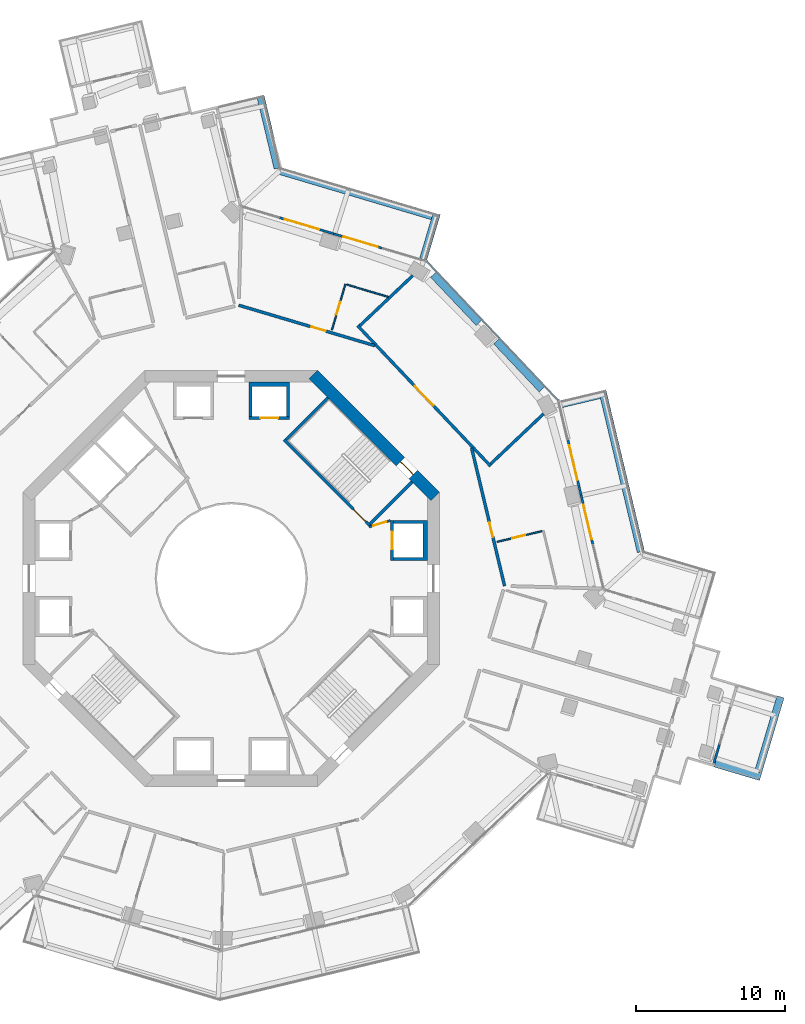
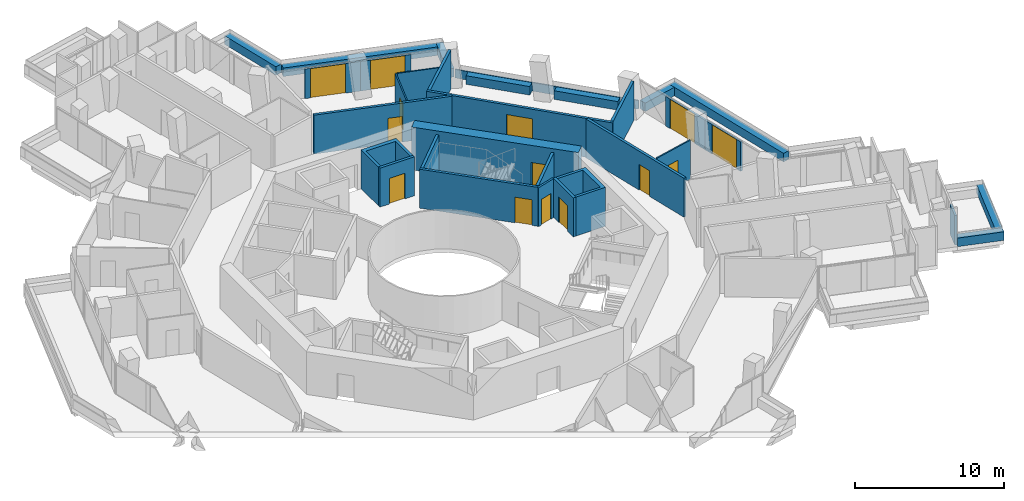
# One storey, part 23 of 27: 32 walls, 14 doors, 14 openings.
"""IFC4 building model written with IfcOpenShell, lengths in metres."""

from ifc_helpers import new_model, si_unit, direction, frame, frame_2d, origin, place, context, subcontext, project, spatial, polyline, rectangle, outline, extrude, material, layer, layer_set, type_object, element, fill, save


model = new_model("IFC4")

# Units and contexts
model_context = context("Model", 3, precision=1e-05, world=origin(), true_north=direction((0.0, 1.0)))
body_context = subcontext(model_context, "Body", "Model", "MODEL_VIEW")
ifc_project = project(units=[si_unit("LENGTHUNIT", "METRE"), si_unit("AREAUNIT", "SQUARE_METRE"), si_unit("VOLUMEUNIT", "CUBIC_METRE"), si_unit("PLANEANGLEUNIT", "RADIAN"), si_unit("MASSUNIT", "GRAM", prefix="KILO")], contexts=[model_context])

# Site, building, storey
site_placement = place(None, origin())
site = spatial("IfcSite", under=ifc_project, at=site_placement, CompositionType="ELEMENT")
building_placement = place(site_placement, origin())
building = spatial("IfcBuilding", under=site, at=building_placement, Name="Verdalira Terraces Hotel", CompositionType="ELEMENT")
storey_placement = place(building_placement, frame((0.0, 0.0, 89.5)))
storey = spatial("IfcBuildingStorey", under=building, at=storey_placement, Name="L20", CompositionType="ELEMENT", Elevation=89.5)

# Walls
ifc_material_1 = material(Name="Concrete C40", Category="concrete")
ifc_layer_1 = layer(ifc_material_1, 0.5)
ifc_layer_set_1 = layer_set([ifc_layer_1], Name="Balcony planter trough with tree")
wall_type_1 = type_object("IfcWallType", Name="Balcony planter trough with tree", PredefinedType="SOLIDWALL", material=ifc_layer_set_1)
wall_1_placement = place(storey_placement, frame((32.528564, -12.437012, 0.0), z_axis=(0.0, 0.0, 1.0), x_axis=(0.958510434, -0.285057447, 0.0)))
element("IfcWall", 1, at=wall_1_placement, inside=storey, type_object=wall_type_1, Name="Balcony planter", PredefinedType="SOLIDWALL", context=body_context, shape_type="SweptSolid", body=[
    extrude(rectangle(XDim=3.198975, YDim=0.5, at=frame_2d((1.599609, 0.0))), origin(), (0.0, 0.0, 1.0), 0.699951),
])
wall_2_placement = place(storey_placement, frame((35.426514, -13.038086, 0.0), z_axis=(0.0, 0.0, 1.0), x_axis=(0.284993145, 0.958529555, 0.0)))
element("IfcWall", 2, at=wall_2_placement, inside=storey, type_object=wall_type_1, Name="Balcony planter", PredefinedType="SOLIDWALL", context=body_context, shape_type="SweptSolid", body=[
    extrude(rectangle(XDim=5.300049, YDim=0.5, at=frame_2d((2.649902, 0.0))), origin(), (0.0, 0.0, 1.0), 0.699951),
])
wall_3_placement = place(storey_placement, frame((27.544678, 1.798828, 0.0), z_axis=(0.0, 0.0, 1.0), x_axis=(-0.232437266, 0.972611391, 0.0)))
element("IfcWall", 3, at=wall_3_placement, inside=storey, type_object=wall_type_1, Name="Balcony planter", PredefinedType="SOLIDWALL", context=body_context, shape_type="SweptSolid", body=[
    extrude(rectangle(XDim=11.152588, YDim=0.5, at=frame_2d((5.576172, 0.0))), origin(), (0.0, 0.0, 1.0), 0.699951),
])
wall_4_placement = place(storey_placement, frame((24.767334, 12.344727, 0.0), z_axis=(0.0, 0.0, 1.0), x_axis=(-0.972602017, -0.232476487, 0.0)))
element("IfcWall", 4, at=wall_4_placement, inside=storey, type_object=wall_type_1, Name="Balcony planter", PredefinedType="SOLIDWALL", context=body_context, shape_type="SweptSolid", body=[
    extrude(rectangle(XDim=2.698975, YDim=0.5, at=frame_2d((1.349609, 0.0))), origin(), (0.0, 0.0, 1.0), 0.699951),
])
wall_5_placement = place(storey_placement, frame((12.905029, 21.47168, 0.0), z_axis=(0.0, 0.0, 1.0), x_axis=(0.285036595, 0.958516635, 0.0)))
element("IfcWall", 5, at=wall_5_placement, inside=storey, type_object=wall_type_1, Name="Balcony planter", PredefinedType="SOLIDWALL", context=body_context, shape_type="SweptSolid", body=[
    extrude(rectangle(XDim=3.199219, YDim=0.5, at=frame_2d((1.599609, 0.0))), origin(), (0.0, 0.0, 1.0), 0.699951),
])
wall_6_placement = place(storey_placement, frame((13.506104, 24.369629, 0.0), z_axis=(0.0, 0.0, 1.0), x_axis=(-0.958522989, 0.285015228, 0.0)))
element("IfcWall", 6, at=wall_6_placement, inside=storey, type_object=wall_type_1, Name="Balcony planter", PredefinedType="SOLIDWALL", context=body_context, shape_type="SweptSolid", body=[
    extrude(rectangle(XDim=10.652588, YDim=0.5, at=frame_2d((5.326172, 0.0))), origin(), (0.0, 0.0, 1.0), 0.699951),
])
wall_7_placement = place(storey_placement, frame((3.123535, 27.587402, 0.0), z_axis=(0.0, 0.0, 1.0), x_axis=(-0.232447136, 0.972609032, 0.0)))
element("IfcWall", 7, at=wall_7_placement, inside=storey, type_object=wall_type_1, Name="Balcony planter", PredefinedType="SOLIDWALL", context=body_context, shape_type="SweptSolid", body=[
    extrude(rectangle(XDim=5.017334, YDim=0.5, at=frame_2d((2.508789, 0.0))), origin(), (0.0, 0.0, 1.0), 0.699951),
])

# Wall, opening, door
ifc_material_2 = material(Name="Moisture-resistant gypsum board partition")
ifc_layer_2 = layer(ifc_material_2, 0.10009765625)
ifc_layer_set_2 = layer_set([ifc_layer_2], Name="Bathroom partition 100 mm")
wall_type_2 = type_object("IfcWallType", Name="Bathroom partition 100 mm", PredefinedType="PARTITIONING", material=ifc_layer_set_2)
wall_8_placement = place(storey_placement, frame((7.67749, 19.791016, 0.0), z_axis=(0.0, 0.0, 1.0), x_axis=(-0.285023313, -0.958520585, 0.0)))
wall_8 = element("IfcWall", 8, at=wall_8_placement, inside=storey, type_object=wall_type_2, Name="Bathroom partition", PredefinedType="PARTITIONING", context=body_context, shape_type="SweptSolid", body=[
    extrude(rectangle(XDim=3.200195, YDim=0.100098, at=frame_2d((1.600098, 0.0))), origin(), (0.0, 0.0, 1.0), 3.189941),
])
opening_1_placement = place(wall_8_placement, frame((1.25, 0.0, 0.0)))
opening_1 = element("IfcOpeningElement", 9, at=opening_1_placement, cuts=wall_8, Name="Opening L20-136", PredefinedType="OPENING", context=body_context, shape_type="SweptSolid", body=[
    extrude(rectangle(XDim=0.899902, YDim=2.100098, at=frame_2d((0.449951, 1.050049))), frame((0.0, 0.060059, 0.0), z_axis=(0.0, -1.0, 0.0), x_axis=(1.0, 0.0, 0.0)), (0.0, 0.0, 1.0), 0.120117),
])
ifc_material_3 = material(Name="Timber door", Category="wood")
door_type_1 = type_object("IfcDoorType", Name="Bathroom door 900 x 2100", OperationType="NOTDEFINED", PredefinedType="DOOR", material=ifc_material_3)
door_1_placement = place(opening_1_placement, origin())
door_1 = element("IfcDoor", 10, at=door_1_placement, inside=storey, type_object=door_type_1, Name="Bathroom door 2012", OperationType="SINGLE_SWING_LEFT", OverallHeight=2.10009765625, OverallWidth=0.89990234375, PredefinedType="DOOR", context=body_context, shape_type="SweptSolid", body=[
    extrude(rectangle(XDim=0.899902, YDim=2.100098, at=frame_2d((0.449951, 1.050049))), frame((0.0, 0.024902, 0.0), z_axis=(0.0, -1.0, 0.0), x_axis=(1.0, 0.0, 0.0)), (0.0, 0.0, 1.0), 0.050049),
])
fill(opening_1, door_1)

# Wall
wall_9_placement = place(storey_placement, frame((7.773438, 19.762451, 0.0), z_axis=(0.0, 0.0, 1.0), x_axis=(0.958529547, -0.284993171, 0.0)))
element("IfcWall", 11, at=wall_9_placement, inside=storey, type_object=wall_type_2, Name="Bathroom partition", PredefinedType="PARTITIONING", context=body_context, shape_type="SweptSolid", body=[
    extrude(rectangle(XDim=2.911865, YDim=0.100098, at=frame_2d((1.456055, 0.0))), origin(), (0.0, 0.0, 1.0), 3.189941),
])

# Wall, opening, door
wall_10_placement = place(storey_placement, frame((20.890381, 3.184326, 0.0), z_axis=(0.0, 0.0, 1.0), x_axis=(-0.972619152, -0.232404787, 0.0)))
wall_10 = element("IfcWall", 12, at=wall_10_placement, inside=storey, type_object=wall_type_2, Name="Bathroom partition", PredefinedType="PARTITIONING", context=body_context, shape_type="SweptSolid", body=[
    extrude(rectangle(XDim=3.100098, YDim=0.100098, at=frame_2d((1.550049, 0.0))), origin(), (0.0, 0.0, 1.0), 3.189941),
])
opening_2_placement = place(wall_10_placement, frame((1.149902, 0.0, 0.0)))
opening_2 = element("IfcOpeningElement", 13, at=opening_2_placement, cuts=wall_10, Name="Opening L20-134", PredefinedType="OPENING", context=body_context, shape_type="SweptSolid", body=[
    extrude(rectangle(XDim=0.899902, YDim=2.100098, at=frame_2d((0.449951, 1.050049))), frame((0.0, 0.060059, 0.0), z_axis=(0.0, -1.0, 0.0), x_axis=(1.0, 0.0, 0.0)), (0.0, 0.0, 1.0), 0.120117),
])
door_2_placement = place(opening_2_placement, origin())
door_2 = element("IfcDoor", 14, at=door_2_placement, inside=storey, type_object=door_type_1, Name="Bathroom door 2011", OperationType="SINGLE_SWING_LEFT", OverallHeight=2.10009765625, OverallWidth=0.89990234375, PredefinedType="DOOR", context=body_context, shape_type="SweptSolid", body=[
    extrude(rectangle(XDim=0.899902, YDim=2.100098, at=frame_2d((0.449951, 1.050049))), frame((0.0, 0.024902, 0.0), z_axis=(0.0, -1.0, 0.0), x_axis=(1.0, 0.0, 0.0)), (0.0, 0.0, 1.0), 0.050049),
])
fill(opening_2, door_2)

# Wall
ifc_material_4 = material(Name="Concrete C50", Category="concrete")
ifc_layer_3 = layer(ifc_material_4, 0.199951171875)
ifc_layer_set_3 = layer_set([ifc_layer_3], Name="Core RC wall 200 C50")
wall_type_3 = type_object("IfcWallType", Name="Core RC wall 200 C50", PredefinedType="SOLIDWALL", material=ifc_layer_set_3)
wall_11_placement = place(storey_placement, origin())
element("IfcWall", 15, at=wall_11_placement, inside=storey, type_object=wall_type_3, Name="L20 shaft wall E2", PredefinedType="SOLIDWALL", context=body_context, shape_type="SweptSolid", body=[
    extrude(outline(polyline([(13.199951, 3.899902), (13.199951, 1.199951), (10.899902, 1.199951), (10.899902, 1.399902), (12.899902, 1.399902), (12.899902, 3.699951), (10.899902, 3.699951), (10.899902, 3.899902), (13.199951, 3.899902)])), origin(), (0.0, 0.0, 1.0), 3.189941),
])

# Wall, opening, door
wall_12_placement = place(storey_placement, frame((10.800049, 1.199951, 0.0), z_axis=(0.0, 0.0, 1.0), x_axis=(0.0, 1.0, 0.0)))
wall_12 = element("IfcWall", 16, at=wall_12_placement, inside=storey, type_object=wall_type_3, Name="L20 shaft front wall E2", PredefinedType="SOLIDWALL", context=body_context, shape_type="SweptSolid", body=[
    extrude(rectangle(XDim=2.699951, YDim=0.199951, at=frame_2d((1.350098, 0.0))), origin(), (0.0, 0.0, 1.0), 3.189941),
])
opening_3_placement = place(wall_12_placement, frame((0.75, 0.0, 0.0)))
opening_3 = element("IfcOpeningElement", 17, at=opening_3_placement, cuts=wall_12, Name="Opening LD-L20-802", PredefinedType="OPENING", context=body_context, shape_type="SweptSolid", body=[
    extrude(rectangle(XDim=1.199951, YDim=2.100098, at=frame_2d((0.600098, 1.050049))), frame((0.0, 0.109863, 0.0), z_axis=(0.0, -1.0, 0.0), x_axis=(1.0, 0.0, 0.0)), (0.0, 0.0, 1.0), 0.219971),
])
ifc_material_5 = material(Name="Stainless steel", Category="steel")
door_type_2 = type_object("IfcDoorType", Name="Landing door 1200 x 2100", OperationType="NOTDEFINED", PredefinedType="DOOR", material=ifc_material_5)
door_3_placement = place(opening_3_placement, origin())
door_3 = element("IfcDoor", 18, at=door_3_placement, inside=storey, type_object=door_type_2, Name="Lift landing door LR2 L20", OperationType="DOUBLE_DOOR_SLIDING", OverallHeight=2.10009765625, OverallWidth=1.199951171875, PredefinedType="DOOR", context=body_context, shape_type="SweptSolid", body=[
    extrude(rectangle(XDim=1.199951, YDim=2.100098, at=frame_2d((0.600098, 1.050049))), frame((0.0, 0.024902, 0.0), z_axis=(0.0, -1.0, 0.0), x_axis=(1.0, 0.0, 0.0)), (0.0, 0.0, 1.0), 0.050049),
])
fill(opening_3, door_3)

# Wall
wall_13_placement = place(storey_placement, origin())
element("IfcWall", 19, at=wall_13_placement, inside=storey, type_object=wall_type_3, Name="L20 shaft wall N1", PredefinedType="SOLIDWALL", context=body_context, shape_type="SweptSolid", body=[
    extrude(outline(polyline([(3.899902, 13.199951), (3.899902, 10.899902), (3.699951, 10.899902), (3.699951, 12.899902), (1.399902, 12.899902), (1.399902, 10.899902), (1.199951, 10.899902), (1.199951, 13.199951), (3.899902, 13.199951)])), origin(), (0.0, 0.0, 1.0), 3.189941),
])

# Wall, opening, door
wall_14_placement = place(storey_placement, frame((1.199951, 10.800049, 0.0), z_axis=(0.0, 0.0, 1.0), x_axis=(1.0, 0.0, 0.0)))
wall_14 = element("IfcWall", 20, at=wall_14_placement, inside=storey, type_object=wall_type_3, Name="L20 shaft front wall N1", PredefinedType="SOLIDWALL", context=body_context, shape_type="SweptSolid", body=[
    extrude(rectangle(XDim=2.699951, YDim=0.199951, at=frame_2d((1.350098, 0.0))), origin(), (0.0, 0.0, 1.0), 3.189941),
])
opening_4_placement = place(wall_14_placement, frame((0.75, 0.0, 0.0)))
opening_4 = element("IfcOpeningElement", 21, at=opening_4_placement, cuts=wall_14, Name="Opening LD-L20-803", PredefinedType="OPENING", context=body_context, shape_type="SweptSolid", body=[
    extrude(rectangle(XDim=1.199951, YDim=2.100098, at=frame_2d((0.600098, 1.050049))), frame((0.0, 0.109863, 0.0), z_axis=(0.0, -1.0, 0.0), x_axis=(1.0, 0.0, 0.0)), (0.0, 0.0, 1.0), 0.219971),
])
door_4_placement = place(opening_4_placement, origin())
door_4 = element("IfcDoor", 22, at=door_4_placement, inside=storey, type_object=door_type_2, Name="Lift landing door LR3 L20", OperationType="DOUBLE_DOOR_SLIDING", OverallHeight=2.10009765625, OverallWidth=1.199951171875, PredefinedType="DOOR", context=body_context, shape_type="SweptSolid", body=[
    extrude(rectangle(XDim=1.199951, YDim=2.100098, at=frame_2d((0.600098, 1.050049))), frame((0.0, 0.024902, 0.0), z_axis=(0.0, -1.0, 0.0), x_axis=(1.0, 0.0, 0.0)), (0.0, 0.0, 1.0), 0.050049),
])
fill(opening_4, door_4)

wall_15_placement = place(storey_placement, frame((3.5354, 9.33374, 0.0), z_axis=(0.0, 0.0, 1.0), x_axis=(0.707106781, -0.707106781, 0.0)))
wall_15 = element("IfcWall", 23, at=wall_15_placement, inside=storey, type_object=wall_type_3, Name="L20 stair ST1 front wall", PredefinedType="SOLIDWALL", context=body_context, shape_type="SweptSolid", body=[
    extrude(rectangle(XDim=8.200195, YDim=0.199951, at=frame_2d((4.100098, 0.0))), origin(), (0.0, 0.0, 1.0), 3.189941),
])
opening_5_placement = place(wall_15_placement, frame((6.600098, 0.0, 0.0)))
opening_5 = element("IfcOpeningElement", 24, at=opening_5_placement, cuts=wall_15, Name="Opening L20-809", PredefinedType="OPENING", context=body_context, shape_type="SweptSolid", body=[
    extrude(rectangle(XDim=1.199951, YDim=2.100098, at=frame_2d((0.600098, 1.050049))), frame((0.0, 0.109863, 0.0), z_axis=(0.0, -1.0, 0.0), x_axis=(1.0, 0.0, 0.0)), (0.0, 0.0, 1.0), 0.219971),
])
ifc_material_6 = material(Name="Steel fire door", Category="steel")
door_type_3 = type_object("IfcDoorType", Name="Stair door 1200 x 2100", OperationType="NOTDEFINED", PredefinedType="DOOR", material=ifc_material_6)
door_5_placement = place(opening_5_placement, origin())
door_5 = element("IfcDoor", 25, at=door_5_placement, inside=storey, type_object=door_type_3, Name="Stair door ST1 L20", OperationType="SINGLE_SWING_RIGHT", OverallHeight=2.10009765625, OverallWidth=1.199951171875, PredefinedType="DOOR", context=body_context, shape_type="SweptSolid", body=[
    extrude(rectangle(XDim=1.199951, YDim=2.100098, at=frame_2d((0.600098, 1.050049))), frame((0.0, 0.024902, 0.0), z_axis=(0.0, -1.0, 0.0), x_axis=(1.0, 0.0, 0.0)), (0.0, 0.0, 1.0), 0.050049),
])
fill(opening_5, door_5)

# Walls
for number, where, z_axis, x_axis, name in (
    (26, (9.33374, 3.677002, 0.0), (0.0, 0.0, 1.0), (0.707106781, 0.707106781, 0.0), "L20 stair ST1 end wall 1"),
    (27, (3.677002, 9.33374, 0.0), (0.0, 0.0, 1.0), (0.707106781, 0.707106781, 0.0), "L20 stair ST1 end wall 2"),
):
    element("IfcWall", number, at=place(storey_placement, frame(where, z_axis=z_axis, x_axis=x_axis)), inside=storey, type_object=wall_type_3, Name=name, PredefinedType="SOLIDWALL", context=body_context, shape_type="SweptSolid", body=[
        extrude(rectangle(XDim=4.0, YDim=0.199951, at=frame_2d((2.0, 0.0))), origin(), (0.0, 0.0, 1.0), 3.189941),
    ])

# Wall, opening, door
ifc_material_7 = material(Name="Gypsum board partition")
ifc_layer_4 = layer(ifc_material_7, 0.14990234375)
ifc_layer_set_4 = layer_set([ifc_layer_4], Name="Core partition 150 mm")
wall_type_4 = type_object("IfcWallType", Name="Core partition 150 mm", PredefinedType="PARTITIONING", material=ifc_layer_set_4)
wall_16_placement = place(storey_placement, frame((10.699951, 3.899902, 0.0), z_axis=(0.0, 0.0, 1.0), x_axis=(-0.957084567, -0.289808785, 0.0)))
wall_16 = element("IfcWall", 28, at=wall_16_placement, inside=storey, type_object=wall_type_4, Name="Room partition L20", PredefinedType="PARTITIONING", context=body_context, shape_type="SweptSolid", body=[
    extrude(rectangle(XDim=1.501221, YDim=0.149902, at=frame_2d((0.750488, 0.0))), origin(), (0.0, 0.0, 1.0), 3.189941),
])
opening_6_placement = place(wall_16_placement, frame((0.300781, 0.0, 0.0)))
opening_6 = element("IfcOpeningElement", 29, at=opening_6_placement, cuts=wall_16, Name="Opening L20-820", PredefinedType="OPENING", context=body_context, shape_type="SweptSolid", body=[
    extrude(rectangle(XDim=0.899902, YDim=2.100098, at=frame_2d((0.449951, 1.050049))), frame((0.0, 0.084961, 0.0), z_axis=(0.0, -1.0, 0.0), x_axis=(1.0, 0.0, 0.0)), (0.0, 0.0, 1.0), 0.169922),
])
ifc_material_8 = material(Name="Steel fire door", Category="steel")
door_type_4 = type_object("IfcDoorType", Name="Core room door 900 x 2100", OperationType="NOTDEFINED", PredefinedType="DOOR", material=ifc_material_8)
door_6_placement = place(opening_6_placement, origin())
door_6 = element("IfcDoor", 30, at=door_6_placement, inside=storey, type_object=door_type_4, Name="Door L20 room0", OperationType="SINGLE_SWING_LEFT", OverallHeight=2.10009765625, OverallWidth=0.89990234375, PredefinedType="DOOR", context=body_context, shape_type="SweptSolid", body=[
    extrude(rectangle(XDim=0.899902, YDim=2.100098, at=frame_2d((0.449951, 1.050049))), frame((0.0, 0.024902, 0.0), z_axis=(0.0, -1.0, 0.0), x_axis=(1.0, 0.0, 0.0)), (0.0, 0.0, 1.0), 0.050049),
])
fill(opening_6, door_6)

ifc_material_9 = material(Name="Concrete C70", Category="concrete")
ifc_layer_5 = layer(ifc_material_9, 0.800048828125)
ifc_layer_set_5 = layer_set([ifc_layer_5], Name="Core wall 800 C70")
wall_type_5 = type_object("IfcWallType", Name="Core wall 800 C70", PredefinedType="SHEAR", material=ifc_layer_set_5)
wall_17_placement = place(storey_placement, frame((13.717285, 5.516113, 0.0), z_axis=(0.0, 0.0, 1.0), x_axis=(-0.707106781, 0.707106781, 0.0)))
wall_17 = element("IfcWall", 31, at=wall_17_placement, inside=storey, type_object=wall_type_5, Name="Core wall CW-L20-2", PredefinedType="SHEAR", context=body_context, shape_type="SweptSolid", body=[
    extrude(rectangle(XDim=11.598145, YDim=0.800049, at=frame_2d((5.799072, 0.0))), origin(), (0.0, 0.0, 1.0), 3.5),
])
opening_7_placement = place(wall_17_placement, frame((2.099121, 0.0, 0.0)))
opening_7 = element("IfcOpeningElement", 32, at=opening_7_placement, cuts=wall_17, Name="Opening L20-816", PredefinedType="OPENING", context=body_context, shape_type="SweptSolid", body=[
    extrude(rectangle(XDim=1.199951, YDim=2.100098, at=frame_2d((0.600098, 1.050049))), frame((0.0, 0.409912, 0.0), z_axis=(0.0, -1.0, 0.0), x_axis=(1.0, 0.0, 0.0)), (0.0, 0.0, 1.0), 0.820068),
])
door_7_placement = place(opening_7_placement, origin())
door_7 = element("IfcDoor", 33, at=door_7_placement, inside=storey, type_object=door_type_3, Name="Stair exit door ST1 L20", OperationType="SINGLE_SWING_LEFT", OverallHeight=2.10009765625, OverallWidth=1.199951171875, PredefinedType="DOOR", context=body_context, shape_type="SweptSolid", body=[
    extrude(rectangle(XDim=1.199951, YDim=2.100098, at=frame_2d((0.600098, 1.050049))), frame((0.0, 0.024902, 0.0), z_axis=(0.0, -1.0, 0.0), x_axis=(1.0, 0.0, 0.0)), (0.0, 0.0, 1.0), 0.050049),
])
fill(opening_7, door_7)

ifc_material_10 = material(Name="Fire-rated gypsum board wall")
ifc_layer_6 = layer(ifc_material_10, 0.199951171875)
ifc_layer_set_6 = layer_set([ifc_layer_6], Name="Guest corridor wall 200 mm")
wall_type_6 = type_object("IfcWallType", Name="Guest corridor wall 200 mm", PredefinedType="SOLIDWALL", material=ifc_layer_set_6)
wall_18_placement = place(storey_placement, frame((0.500488, 18.37793, 0.0), z_axis=(0.0, 0.0, 1.0), x_axis=(0.958525205, -0.285007775, 0.0)))
wall_18 = element("IfcWall", 34, at=wall_18_placement, inside=storey, type_object=wall_type_6, Name="Guest corridor wall", PredefinedType="SOLIDWALL", context=body_context, shape_type="SweptSolid", body=[
    extrude(rectangle(XDim=9.536621, YDim=0.199951, at=frame_2d((4.768311, 0.0))), origin(), (0.0, 0.0, 1.0), 3.189941),
])
opening_8_placement = place(wall_18_placement, frame((5.100098, 0.0, 0.0)))
opening_8 = element("IfcOpeningElement", 35, at=opening_8_placement, cuts=wall_18, Name="Opening L20-135", PredefinedType="OPENING", context=body_context, shape_type="SweptSolid", body=[
    extrude(rectangle(XDim=1.0, YDim=2.100098, at=frame_2d((0.5, 1.050049))), frame((0.0, 0.109863, 0.0), z_axis=(0.0, -1.0, 0.0), x_axis=(1.0, 0.0, 0.0)), (0.0, 0.0, 1.0), 0.219971),
])
ifc_material_11 = material(Name="Timber fire door", Category="wood")
door_type_5 = type_object("IfcDoorType", Name="Guest entry door 1000 x 2100", OperationType="NOTDEFINED", PredefinedType="DOOR", material=ifc_material_11)
door_8_placement = place(opening_8_placement, origin())
door_8 = element("IfcDoor", 36, at=door_8_placement, inside=storey, type_object=door_type_5, Name="Guest entry door 2012", OperationType="SINGLE_SWING_LEFT", OverallHeight=2.10009765625, OverallWidth=1.0, PredefinedType="DOOR", context=body_context, shape_type="SweptSolid", body=[
    extrude(rectangle(XDim=1.0, YDim=2.100098, at=frame_2d((0.5, 1.050049))), frame((0.0, 0.024902, 0.0), z_axis=(0.0, -1.0, 0.0), x_axis=(1.0, 0.0, 0.0)), (0.0, 0.0, 1.0), 0.050049),
])
fill(opening_8, door_8)

wall_19_placement = place(storey_placement, frame((16.161377, 8.774902, 0.0), z_axis=(0.0, 0.0, 1.0), x_axis=(0.232426863, -0.972613877, 0.0)))
wall_19 = element("IfcWall", 37, at=wall_19_placement, inside=storey, type_object=wall_type_6, Name="Guest corridor wall", PredefinedType="SOLIDWALL", context=body_context, shape_type="SweptSolid", body=[
    extrude(rectangle(XDim=9.536621, YDim=0.199951, at=frame_2d((4.768311, 0.0))), origin(), (0.0, 0.0, 1.0), 3.189941),
])
opening_9_placement = place(wall_19_placement, frame((5.149902, 0.0, 0.0)))
opening_9 = element("IfcOpeningElement", 38, at=opening_9_placement, cuts=wall_19, Name="Opening L20-133", PredefinedType="OPENING", context=body_context, shape_type="SweptSolid", body=[
    extrude(rectangle(XDim=1.0, YDim=2.100098, at=frame_2d((0.5, 1.050049))), frame((0.0, 0.109863, 0.0), z_axis=(0.0, -1.0, 0.0), x_axis=(1.0, 0.0, 0.0)), (0.0, 0.0, 1.0), 0.219971),
])
door_9_placement = place(opening_9_placement, origin())
door_9 = element("IfcDoor", 39, at=door_9_placement, inside=storey, type_object=door_type_5, Name="Guest entry door 2011", OperationType="SINGLE_SWING_LEFT", OverallHeight=2.10009765625, OverallWidth=1.0, PredefinedType="DOOR", context=body_context, shape_type="SweptSolid", body=[
    extrude(rectangle(XDim=1.0, YDim=2.100098, at=frame_2d((0.5, 1.050049))), frame((0.0, 0.024902, 0.0), z_axis=(0.0, -1.0, 0.0), x_axis=(1.0, 0.0, 0.0)), (0.0, 0.0, 1.0), 0.050049),
])
fill(opening_9, door_9)

ifc_material_12 = material(Name="Terracotta cladding", Category="masonry")
ifc_layer_7 = layer(ifc_material_12, 0.199951171875)
ifc_layer_set_7 = layer_set([ifc_layer_7], Name="Loggia back wall 200")
wall_type_7 = type_object("IfcWallType", Name="Loggia back wall 200", PredefinedType="SOLIDWALL", material=ifc_layer_set_7)
wall_20_placement = place(storey_placement, frame((8.497559, 16.999023, 0.0), z_axis=(0.0, 0.0, 1.0), x_axis=(0.687585757, -0.726103179, 0.0)))
wall_20 = element("IfcWall", 40, at=wall_20_placement, inside=storey, type_object=wall_type_7, Name="Loggia back wall", PredefinedType="SOLIDWALL", context=body_context, shape_type="SweptSolid", body=[
    extrude(rectangle(XDim=13.000244, YDim=0.199951, at=frame_2d((6.5, 0.0))), origin(), (0.0, 0.0, 1.0), 3.189941),
])
opening_10_placement = place(wall_20_placement, frame((5.600098, 0.0, 0.0)))
opening_10 = element("IfcOpeningElement", 41, at=opening_10_placement, cuts=wall_20, Name="Opening L20-L01", PredefinedType="OPENING", context=body_context, shape_type="SweptSolid", body=[
    extrude(rectangle(XDim=1.800049, YDim=2.399902, at=frame_2d((0.899902, 1.199951))), frame((0.0, 0.109863, 0.0), z_axis=(0.0, -1.0, 0.0), x_axis=(1.0, 0.0, 0.0)), (0.0, 0.0, 1.0), 0.219971),
])
ifc_material_13 = material(Name="Clear glass", Category="glass")
door_type_6 = type_object("IfcDoorType", Name="Garden double door 1800x2400", OperationType="NOTDEFINED", PredefinedType="DOOR", material=ifc_material_13)
door_10_placement = place(opening_10_placement, origin())
door_10 = element("IfcDoor", 42, at=door_10_placement, inside=storey, type_object=door_type_6, Name="Loggia double door", OperationType="DOUBLE_DOOR_SINGLE_SWING", OverallHeight=2.39990234375, OverallWidth=1.800048828125, PredefinedType="DOOR", context=body_context, shape_type="SweptSolid", body=[
    extrude(rectangle(XDim=1.800049, YDim=2.399902, at=frame_2d((0.899902, 1.199951))), frame((0.0, 0.024902, 0.0), z_axis=(0.0, -1.0, 0.0), x_axis=(1.0, 0.0, 0.0)), (0.0, 0.0, 1.0), 0.050049),
])
fill(opening_10, door_10)

# Walls
wall_21_placement = place(storey_placement, frame((21.000977, 11.073242, 0.0), z_axis=(0.0, 0.0, 1.0), x_axis=(-0.726084786, -0.68760518, 0.0)))
element("IfcWall", 43, at=wall_21_placement, inside=storey, type_object=wall_type_7, Name="Loggia side wall", PredefinedType="SOLIDWALL", context=body_context, shape_type="SweptSolid", body=[
    extrude(rectangle(XDim=4.904541, YDim=0.199951, at=frame_2d((2.452148, 0.0))), origin(), (0.0, 0.0, 1.0), 3.189941),
])
wall_22_placement = place(storey_placement, frame((12.199463, 20.366943, 0.0), z_axis=(0.0, 0.0, 1.0), x_axis=(-0.726087421, -0.687602398, 0.0)))
element("IfcWall", 44, at=wall_22_placement, inside=storey, type_object=wall_type_7, Name="Loggia side wall", PredefinedType="SOLIDWALL", context=body_context, shape_type="SweptSolid", body=[
    extrude(rectangle(XDim=4.903809, YDim=0.199951, at=frame_2d((2.451904, 0.0))), origin(), (0.0, 0.0, 1.0), 3.189941),
])
ifc_material_14 = material(Name="Concrete C40", Category="concrete")
ifc_layer_8 = layer(ifc_material_14, 0.5)
ifc_layer_set_8 = layer_set([ifc_layer_8], Name="Loggia planter trough with tree")
wall_type_8 = type_object("IfcWallType", Name="Loggia planter trough with tree", PredefinedType="SOLIDWALL", material=ifc_layer_set_8)
wall_23_placement = place(storey_placement, frame((20.888428, 12.712891, 0.0), z_axis=(0.0, 0.0, 1.0), x_axis=(-0.687591182, 0.726098041, 0.0)))
element("IfcWall", 45, at=wall_23_placement, inside=storey, type_object=wall_type_8, Name="Loggia planter", PredefinedType="SOLIDWALL", context=body_context, shape_type="SweptSolid", body=[
    extrude(rectangle(XDim=4.457031, YDim=0.5, at=frame_2d((2.228516, 0.0))), origin(), (0.0, 0.0, 1.0), 0.699951),
])
wall_24_placement = place(storey_placement, frame((16.647705, 17.191162, 0.0), z_axis=(0.0, 0.0, 1.0), x_axis=(-0.687606287, 0.726083737, 0.0)))
element("IfcWall", 46, at=wall_24_placement, inside=storey, type_object=wall_type_8, Name="Loggia planter", PredefinedType="SOLIDWALL", context=body_context, shape_type="SweptSolid", body=[
    extrude(rectangle(XDim=4.454102, YDim=0.5, at=frame_2d((2.227051, 0.0))), origin(), (0.0, 0.0, 1.0), 0.699951),
])
ifc_material_15 = material(Name="Concrete C40", Category="concrete")
ifc_layer_9 = layer(ifc_material_15, 0.10009765625)
ifc_layer_set_9 = layer_set([ifc_layer_9], Name="Loggia upstand 100")
wall_type_9 = type_object("IfcWallType", Name="Loggia upstand 100", PredefinedType="SOLIDWALL", material=ifc_layer_set_9)
wall_25_placement = place(storey_placement, frame((21.991943, 11.983887, 0.0), z_axis=(0.0, 0.0, 1.0), x_axis=(-0.687593273, 0.726096062, 0.0)))
element("IfcWall", 47, at=wall_25_placement, inside=storey, type_object=wall_type_9, Name="Loggia upstand", PredefinedType="SOLIDWALL", context=body_context, shape_type="SweptSolid", body=[
    extrude(rectangle(XDim=12.840332, YDim=0.100098, at=frame_2d((6.420166, 0.0))), origin(), (0.0, 0.0, 1.0), 0.699951),
])
ifc_material_16 = material(Name="Terracotta cladding", Category="masonry")
ifc_layer_10 = layer(ifc_material_16, 0.14990234375)
ifc_layer_set_10 = layer_set([ifc_layer_10], Name="Terracotta column pier 150")
wall_type_10 = type_object("IfcWallType", Name="Terracotta column pier 150", PredefinedType="SOLIDWALL", material=ifc_layer_set_10)
wall_26_placement = place(storey_placement, frame((32.449951, -12.43457, 0.0), z_axis=(0.0, 0.0, 1.0), x_axis=(0.285062369, 0.95850897, 0.0)))
element("IfcWall", 48, at=wall_26_placement, inside=storey, type_object=wall_type_10, Name="Terracotta column pier", PredefinedType="SOLIDWALL", context=body_context, shape_type="SweptSolid", body=[
    extrude(rectangle(XDim=1.382324, YDim=0.149902, at=frame_2d((0.691162, 0.0))), origin(), (0.0, 0.0, 1.0), 2.425049),
])

# Wall, opening, door
ifc_material_17 = material(Name="Terracotta cladding", Category="masonry")
ifc_layer_11 = layer(ifc_material_17, 0.14990234375)
ifc_layer_set_11 = layer_set([ifc_layer_11], Name="Terracotta door pier 150")
wall_type_11 = type_object("IfcWallType", Name="Terracotta door pier 150", PredefinedType="SOLIDWALL", material=ifc_layer_set_11)
wall_27_placement = place(storey_placement, frame((24.328613, 2.240967, 0.0), z_axis=(0.0, 0.0, 1.0), x_axis=(-0.232405626, 0.972618952, 0.0)))
wall_27 = element("IfcWall", 49, at=wall_27_placement, inside=storey, type_object=wall_type_11, Name="Terracotta door pier", PredefinedType="SOLIDWALL", context=body_context, shape_type="SweptSolid", body=[
    extrude(rectangle(XDim=3.475098, YDim=0.149902, at=frame_2d((1.737549, 0.0))), origin(), (0.0, 0.0, 1.0), 2.425049),
])
opening_11_placement = place(wall_27_placement, frame((0.399902, 0.0, 0.0)))
opening_11 = element("IfcOpeningElement", 50, at=opening_11_placement, cuts=wall_27, Name="Opening L20-B15", PredefinedType="OPENING", context=body_context, shape_type="SweptSolid", body=[
    extrude(rectangle(XDim=2.399902, YDim=2.399902, at=frame_2d((1.199951, 1.199951))), frame((0.0, 0.084961, 0.0), z_axis=(0.0, -1.0, 0.0), x_axis=(1.0, 0.0, 0.0)), (0.0, 0.0, 1.0), 0.169922),
])
ifc_material_18 = material(Name="Clear glass", Category="glass")
door_type_7 = type_object("IfcDoorType", Name="Balcony sliding door 2400x2400", OperationType="NOTDEFINED", PredefinedType="DOOR", material=ifc_material_18)
door_11_placement = place(opening_11_placement, origin())
door_11 = element("IfcDoor", 51, at=door_11_placement, inside=storey, type_object=door_type_7, Name="Balcony sliding door", OperationType="SLIDING_TO_RIGHT", OverallHeight=2.39990234375, OverallWidth=2.39990234375, PredefinedType="DOOR", context=body_context, shape_type="SweptSolid", body=[
    extrude(rectangle(XDim=2.399902, YDim=2.399902, at=frame_2d((1.199951, 1.199951))), frame((0.0, 0.024902, 0.0), z_axis=(0.0, -1.0, 0.0), x_axis=(1.0, 0.0, 0.0)), (0.0, 0.0, 1.0), 0.050049),
])
fill(opening_11, door_11)

wall_28_placement = place(storey_placement, frame((23.520996, 5.62085, 0.0), z_axis=(0.0, 0.0, 1.0), x_axis=(-0.232397815, 0.972620818, 0.0)))
wall_28 = element("IfcWall", 52, at=wall_28_placement, inside=storey, type_object=wall_type_11, Name="Terracotta door pier", PredefinedType="SOLIDWALL", context=body_context, shape_type="SweptSolid", body=[
    extrude(rectangle(XDim=3.835449, YDim=0.149902, at=frame_2d((1.917725, 0.0))), origin(), (0.0, 0.0, 1.0), 2.425049),
])
opening_12_placement = place(wall_28_placement, frame((1.0354, 0.0, 0.0)))
opening_12 = element("IfcOpeningElement", 53, at=opening_12_placement, cuts=wall_28, Name="Opening L20-B16", PredefinedType="OPENING", context=body_context, shape_type="SweptSolid", body=[
    extrude(rectangle(XDim=2.399902, YDim=2.399902, at=frame_2d((1.199951, 1.199951))), frame((0.0, 0.084961, 0.0), z_axis=(0.0, -1.0, 0.0), x_axis=(1.0, 0.0, 0.0)), (0.0, 0.0, 1.0), 0.169922),
])
door_12_placement = place(opening_12_placement, origin())
door_12 = element("IfcDoor", 54, at=door_12_placement, inside=storey, type_object=door_type_7, Name="Balcony sliding door", OperationType="SLIDING_TO_LEFT", OverallHeight=2.39990234375, OverallWidth=2.39990234375, PredefinedType="DOOR", context=body_context, shape_type="SweptSolid", body=[
    extrude(rectangle(XDim=2.399902, YDim=2.399902, at=frame_2d((1.199951, 1.199951))), frame((0.0, 0.024902, 0.0), z_axis=(0.0, -1.0, 0.0), x_axis=(1.0, 0.0, 0.0)), (0.0, 0.0, 1.0), 0.050049),
])
fill(opening_12, door_12)

wall_29_placement = place(storey_placement, frame((10.223633, 22.189697, 0.0), z_axis=(0.0, 0.0, 1.0), x_axis=(-0.958517682, 0.285033074, 0.0)))
wall_29 = element("IfcWall", 55, at=wall_29_placement, inside=storey, type_object=wall_type_11, Name="Terracotta door pier", PredefinedType="SOLIDWALL", context=body_context, shape_type="SweptSolid", body=[
    extrude(rectangle(XDim=3.474854, YDim=0.149902, at=frame_2d((1.737305, 0.0))), origin(), (0.0, 0.0, 1.0), 2.425049),
])
opening_13_placement = place(wall_29_placement, frame((0.399902, 0.0, 0.0)))
opening_13 = element("IfcOpeningElement", 56, at=opening_13_placement, cuts=wall_29, Name="Opening L20-B17", PredefinedType="OPENING", context=body_context, shape_type="SweptSolid", body=[
    extrude(rectangle(XDim=2.399902, YDim=2.399902, at=frame_2d((1.199951, 1.199951))), frame((0.0, 0.084961, 0.0), z_axis=(0.0, -1.0, 0.0), x_axis=(1.0, 0.0, 0.0)), (0.0, 0.0, 1.0), 0.169922),
])
door_13_placement = place(opening_13_placement, origin())
door_13 = element("IfcDoor", 57, at=door_13_placement, inside=storey, type_object=door_type_7, Name="Balcony sliding door", OperationType="SLIDING_TO_RIGHT", OverallHeight=2.39990234375, OverallWidth=2.39990234375, PredefinedType="DOOR", context=body_context, shape_type="SweptSolid", body=[
    extrude(rectangle(XDim=2.399902, YDim=2.399902, at=frame_2d((1.199951, 1.199951))), frame((0.0, 0.024902, 0.0), z_axis=(0.0, -1.0, 0.0), x_axis=(1.0, 0.0, 0.0)), (0.0, 0.0, 1.0), 0.050049),
])
fill(opening_13, door_13)

wall_30_placement = place(storey_placement, frame((6.892822, 23.180176, 0.0), z_axis=(0.0, 0.0, 1.0), x_axis=(-0.958518968, 0.285028749, 0.0)))
wall_30 = element("IfcWall", 58, at=wall_30_placement, inside=storey, type_object=wall_type_11, Name="Terracotta door pier", PredefinedType="SOLIDWALL", context=body_context, shape_type="SweptSolid", body=[
    extrude(rectangle(XDim=3.835693, YDim=0.149902, at=frame_2d((1.917969, 0.0))), origin(), (0.0, 0.0, 1.0), 2.425049),
])
opening_14_placement = place(wall_30_placement, frame((1.0354, 0.0, 0.0)))
opening_14 = element("IfcOpeningElement", 59, at=opening_14_placement, cuts=wall_30, Name="Opening L20-B18", PredefinedType="OPENING", context=body_context, shape_type="SweptSolid", body=[
    extrude(rectangle(XDim=2.399902, YDim=2.399902, at=frame_2d((1.199951, 1.199951))), frame((0.0, 0.084961, 0.0), z_axis=(0.0, -1.0, 0.0), x_axis=(1.0, 0.0, 0.0)), (0.0, 0.0, 1.0), 0.169922),
])
door_14_placement = place(opening_14_placement, origin())
door_14 = element("IfcDoor", 60, at=door_14_placement, inside=storey, type_object=door_type_7, Name="Balcony sliding door", OperationType="SLIDING_TO_LEFT", OverallHeight=2.39990234375, OverallWidth=2.39990234375, PredefinedType="DOOR", context=body_context, shape_type="SweptSolid", body=[
    extrude(rectangle(XDim=2.399902, YDim=2.399902, at=frame_2d((1.199951, 1.199951))), frame((0.0, 0.024902, 0.0), z_axis=(0.0, -1.0, 0.0), x_axis=(1.0, 0.0, 0.0)), (0.0, 0.0, 1.0), 0.050049),
])
fill(opening_14, door_14)

save(model, "model.ifc")
